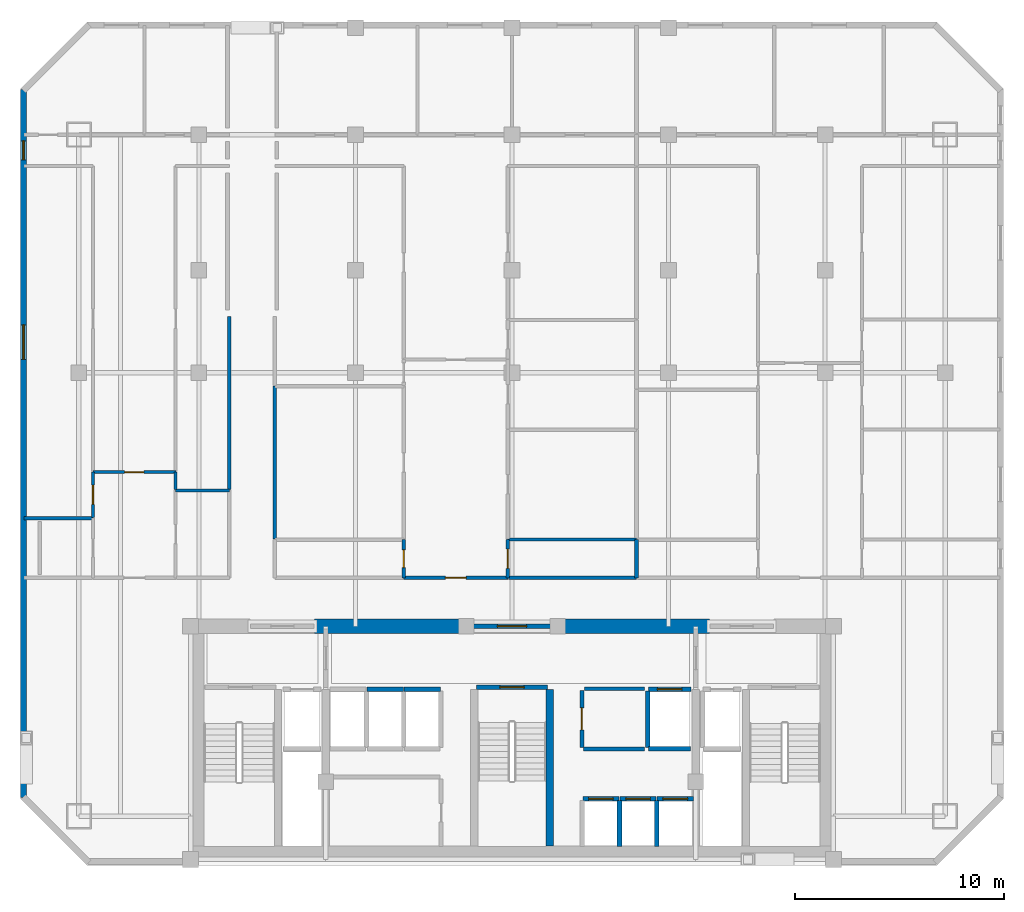
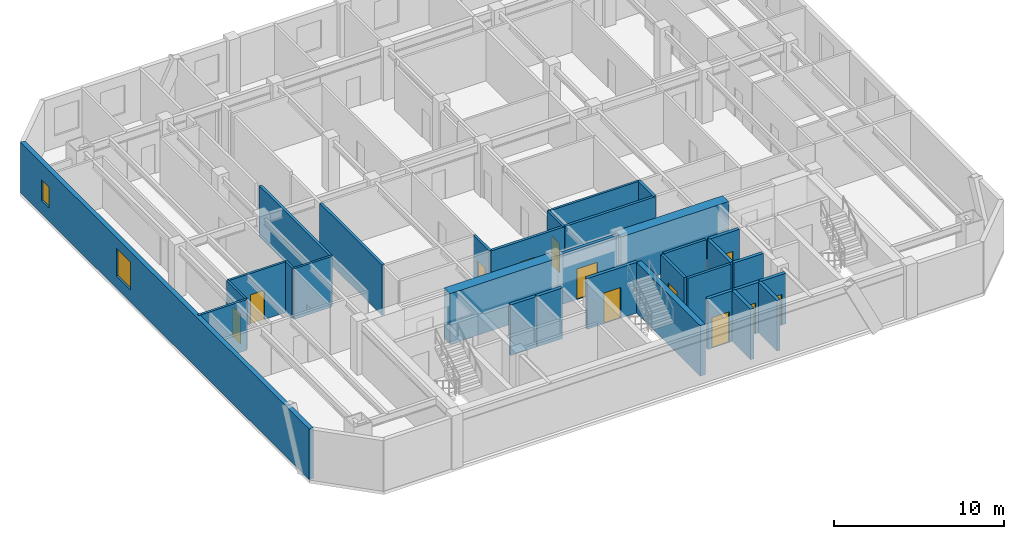
# One storey, part 3 of 8: 32 walls, 12 doors, 2 windows, 14 openings.
"""IFC4 building model written with IfcOpenShell, lengths in metres."""

from ifc_helpers import new_model, si_unit, direction, frame, frame_2d, origin, place, context, subcontext, project, spatial, rectangle, extrude, material, layer, layer_set, type_object, element, fill, save


model = new_model("IFC4")

# Units and contexts
model_context = context("Model", 3, precision=1e-05, world=origin(), true_north=direction((0.0, 1.0)))
body_context = subcontext(model_context, "Body", "Model", "MODEL_VIEW")
ifc_project = project(units=[si_unit("LENGTHUNIT", "METRE"), si_unit("AREAUNIT", "SQUARE_METRE"), si_unit("VOLUMEUNIT", "CUBIC_METRE"), si_unit("PLANEANGLEUNIT", "RADIAN"), si_unit("MASSUNIT", "GRAM", prefix="KILO")], contexts=[model_context])

# Site, building, storey
site_placement = place(None, origin())
site = spatial("IfcSite", under=ifc_project, at=site_placement, CompositionType="ELEMENT")
building_placement = place(site_placement, origin())
building = spatial("IfcBuilding", under=site, at=building_placement, Name="Ventersveld Concourse Tower", CompositionType="ELEMENT")
storey_placement = place(building_placement, frame((0.0, 0.0, 160.60009765625)))
storey = spatial("IfcBuildingStorey", under=building, at=storey_placement, Name="L39", CompositionType="ELEMENT", Elevation=160.60009765625)

# Walls
ifc_material_1 = material(Name="Concrete C60/75", Category="concrete")
ifc_layer_1 = layer(ifc_material_1, 0.35009765625)
ifc_layer_set_1 = layer_set([ifc_layer_1], Name="Concrete C60/75")
wall_type_1 = type_object("IfcWallType", Name="WL-CORE-350L", PredefinedType="SHEAR", material=ifc_layer_set_1)
wall_1_placement = place(storey_placement, frame((30.56005859375, 0.919921875, 0.0), z_axis=(0.0, 0.0, 1.0), x_axis=(0.0, 1.0, 0.0)))
element("IfcWall", 1, at=wall_1_placement, inside=storey, type_object=wall_type_1, Name="L39 Core Internal Shear Web W-ST3-E", PredefinedType="SHEAR", context=body_context, shape_type="SweptSolid", body=[
    extrude(rectangle(XDim=7.5, YDim=0.35009765625, at=frame_2d((3.75, 0.0))), origin(), (0.0, 0.0, 1.0), 3.6298828125),
])
ifc_layer_2 = layer(ifc_material_1, 0.699951171875)
ifc_layer_set_2 = layer_set([ifc_layer_2], Name="Concrete C60/75")
wall_type_2 = type_object("IfcWallType", Name="WL-CORE-700", PredefinedType="SHEAR", material=ifc_layer_set_2)
for number, where, z_axis, x_axis, name in (
    (2, (19.300048828125, 11.449951171875, 0.0), (0.0, 0.0, 1.0), (1.0, 0.0, 0.0), "L39 Rear Core North Shear Wall NML"),
    (3, (30.89990234375, 11.449951171875, 0.0), (0.0, 0.0, 1.0), (1.0, 0.0, 0.0), "L39 Rear Core North Shear Wall NMR"),
):
    element("IfcWall", number, at=place(storey_placement, frame(where, z_axis=z_axis, x_axis=x_axis)), inside=storey, type_object=wall_type_2, Name=name, PredefinedType="SHEAR", context=body_context, shape_type="SweptSolid", body=[
        extrude(rectangle(XDim=7.300048828125, YDim=0.699951171875, at=frame_2d((3.64990234375, 0.0))), origin(), (0.0, 0.0, 1.0), 3.6298828125),
    ])

# Wall, opening, door
ifc_material_2 = material(Name="Fire-rated autoclaved aerated masonry blockwork", Category="masonry")
ifc_layer_3 = layer(ifc_material_2, 0.179931640625)
ifc_layer_set_3 = layer_set([ifc_layer_3], Name="Fire-rated autoclaved aerated masonry blockwork")
wall_type_3 = type_object("IfcWallType", Name="WL-CORR-180", PredefinedType="PARTITIONING", material=ifc_layer_set_3)
wall_2_placement = place(storey_placement, frame((32.10009765625, 5.64990234375, 0.0), z_axis=(0.0, 0.0, 1.0), x_axis=(0.0, 1.0, 0.0)))
wall_2 = element("IfcWall", 4, at=wall_2_placement, inside=storey, type_object=wall_type_3, Name="L39 Core Passage Wall SP-L39-CBAY1", PredefinedType="PARTITIONING", context=body_context, shape_type="SweptSolid", body=[
    extrude(rectangle(XDim=2.72998046875, YDim=0.179931640625, at=frame_2d((1.364990234375, 0.0))), origin(), (0.0, 0.0, 1.0), 3.6298828125),
])
opening_1_placement = place(wall_2_placement, frame((0.840087890625, 0.0, 0.0)))
opening_1 = element("IfcOpeningElement", 5, at=opening_1_placement, cuts=wall_2, Name="Opening ID3", PredefinedType="OPENING", context=body_context, shape_type="SweptSolid", body=[
    extrude(rectangle(XDim=1.050048828125, YDim=2.14990234375, at=frame_2d((0.52490234375, 1.074951171875))), frame((0.0, 0.10009765625, 0.0), z_axis=(0.0, -1.0, 0.0), x_axis=(1.0, 0.0, 0.0)), (0.0, 0.0, 1.0), 0.199951171875),
])
ifc_material_3 = material(Name="Solid-core hardwood veneer timber", Category="wood")
door_type_1 = type_object("IfcDoorType", Name="DR-AWC-105", OperationType="NOTDEFINED", PredefinedType="DOOR", material=ifc_material_3)
door_1_placement = place(opening_1_placement, origin())
door_1 = element("IfcDoor", 6, at=door_1_placement, inside=storey, type_object=door_type_1, Name="L39 Core Room Door L39 Core Unisex Accessible WC (CD-L39-1906)", OperationType="SINGLE_SWING_LEFT", OverallHeight=2.14990234375, OverallWidth=1.050048828125, PredefinedType="DOOR", context=body_context, shape_type="SweptSolid", body=[
    extrude(rectangle(XDim=1.050048828125, YDim=2.14990234375, at=frame_2d((0.52490234375, 1.074951171875))), frame((0.0, 0.02490234375, 0.0), z_axis=(0.0, -1.0, 0.0), x_axis=(1.0, 0.0, 0.0)), (0.0, 0.0, 1.0), 0.050048828125),
])
fill(opening_1, door_1)

# Walls
wall_3_placement = place(storey_placement, frame((32.219970703125, 8.4599609375, 0.0), z_axis=(0.0, 0.0, 1.0), x_axis=(1.0, 0.0, 0.0)))
element("IfcWall", 7, at=wall_3_placement, inside=storey, type_object=wall_type_3, Name="L39 Core Top Wall SP-L39-CBAY1", PredefinedType="PARTITIONING", context=body_context, shape_type="SweptSolid", body=[
    extrude(rectangle(XDim=2.880126953125, YDim=0.179931640625, at=frame_2d((1.43994140625, 0.0))), origin(), (0.0, 0.0, 1.0), 3.6298828125),
])
wall_4_placement = place(storey_placement, frame((32.179931640625, 5.570068359375, 0.0), z_axis=(0.0, 0.0, 1.0), x_axis=(1.0, 0.0, 0.0)))
element("IfcWall", 8, at=wall_4_placement, inside=storey, type_object=wall_type_3, Name="L39 Core Bot Wall SP-L39-CBAY1", PredefinedType="PARTITIONING", context=body_context, shape_type="SweptSolid", body=[
    extrude(rectangle(XDim=2.920166015625, YDim=0.179931640625, at=frame_2d((1.4599609375, 0.0))), origin(), (0.0, 0.0, 1.0), 3.6298828125),
])
wall_5_placement = place(storey_placement, frame((15.2099609375, 17.997314453125, 0.0), z_axis=(0.0, 0.0, 1.0), x_axis=(0.0, 1.0, 0.0)))
element("IfcWall", 9, at=wall_5_placement, inside=storey, type_object=wall_type_3, Name="L39 Interior Partition SP-L39-COR-SP-L39-39NW-DENR", PredefinedType="PARTITIONING", context=body_context, shape_type="SweptSolid", body=[
    extrude(rectangle(XDim=8.297607421875, YDim=0.179931640625, at=frame_2d((4.14892578125, 0.0))), origin(), (0.0, 0.0, 1.0), 3.6298828125),
])

# Wall, opening, door
wall_6_placement = place(storey_placement, frame((23.56005859375, 13.77001953125, 0.0), z_axis=(0.0, 0.0, 1.0), x_axis=(1.0, 0.0, 0.0)))
wall_6 = element("IfcWall", 10, at=wall_6_placement, inside=storey, type_object=wall_type_3, Name="L39 Interior Partition SP-L39-COR-SP-L39-39N1-FOY", PredefinedType="PARTITIONING", context=body_context, shape_type="SweptSolid", body=[
    extrude(rectangle(XDim=4.989990234375, YDim=0.179931640625, at=frame_2d((2.4951171875, 0.0))), origin(), (0.0, 0.0, 1.0), 3.6298828125),
])
opening_2_placement = place(wall_6_placement, frame((1.9951171875, 0.0, 0.0)))
opening_2 = element("IfcOpeningElement", 11, at=opening_2_placement, cuts=wall_6, Name="Opening FD3", PredefinedType="OPENING", context=body_context, shape_type="SweptSolid", body=[
    extrude(rectangle(XDim=1.0, YDim=2.14990234375, at=frame_2d((0.5, 1.074951171875))), frame((0.0, 0.10009765625, 0.0), z_axis=(0.0, -1.0, 0.0), x_axis=(1.0, 0.0, 0.0)), (0.0, 0.0, 1.0), 0.199951171875),
])
door_type_2 = type_object("IfcDoorType", Name="DR-FLAT-100", OperationType="NOTDEFINED", PredefinedType="DOOR", material=ifc_material_3)
door_2_placement = place(opening_2_placement, origin())
door_2 = element("IfcDoor", 12, at=door_2_placement, inside=storey, type_object=door_type_2, Name="L39 Interior Door SP-L39-COR to SP-L39-39N1-FOY (FD-L39-1908)", OperationType="SINGLE_SWING_RIGHT", OverallHeight=2.14990234375, OverallWidth=1.0, PredefinedType="DOOR", context=body_context, shape_type="SweptSolid", body=[
    extrude(rectangle(XDim=1.0, YDim=2.14990234375, at=frame_2d((0.5, 1.074951171875))), frame((0.0, 0.02490234375, 0.0), z_axis=(0.0, -1.0, 0.0), x_axis=(1.0, 0.0, 0.0)), (0.0, 0.0, 1.0), 0.050048828125),
])
fill(opening_2, door_2)

# Walls
wall_7_placement = place(storey_placement, frame((17.389892578125, 15.635009765625, 0.0), z_axis=(0.0, 0.0, 1.0), x_axis=(0.0, 1.0, 0.0)))
element("IfcWall", 13, at=wall_7_placement, inside=storey, type_object=wall_type_3, Name="L39 Interior Partition SP-L39-COR-SP-L39-39N1-OFFL0", PredefinedType="PARTITIONING", context=body_context, shape_type="SweptSolid", body=[
    extrude(rectangle(XDim=7.319580078125, YDim=0.179931640625, at=frame_2d((3.65966796875, 0.0))), origin(), (0.0, 0.0, 1.0), 3.6298828125),
])
wall_8_placement = place(storey_placement, frame((28.580078125, 13.77001953125, 0.0), z_axis=(0.0, 0.0, 1.0), x_axis=(1.0, 0.0, 0.0)))
element("IfcWall", 14, at=wall_8_placement, inside=storey, type_object=wall_type_3, Name="L39 Interior Partition SP-L39-COR-SP-L39-39N1-KIT", PredefinedType="PARTITIONING", context=body_context, shape_type="SweptSolid", body=[
    extrude(rectangle(XDim=6.14501953125, YDim=0.179931640625, at=frame_2d((3.072509765625, 0.0))), origin(), (0.0, 0.0, 1.0), 3.6298828125),
])
ifc_layer_4 = layer(ifc_material_2, 0.199951171875)
ifc_layer_set_4 = layer_set([ifc_layer_4], Name="Fire-rated autoclaved aerated masonry blockwork")
wall_type_4 = type_object("IfcWallType", Name="WL-DEMISE-200", PredefinedType="PARTITIONING", material=ifc_layer_set_4)
wall_9_placement = place(storey_placement, frame((34.719970703125, 13.764892578125, 0.0), z_axis=(0.0, 0.0, 1.0), x_axis=(0.0, 1.0, 0.0)))
element("IfcWall", 15, at=wall_9_placement, inside=storey, type_object=wall_type_4, Name="L39 Interior Partition SP-L39-39N1-KIT-SP-L39-39N2-BATH", PredefinedType="PARTITIONING", context=body_context, shape_type="SweptSolid", body=[
    extrude(rectangle(XDim=1.840087890625, YDim=0.199951171875, at=frame_2d((0.919921875, 0.0))), origin(), (0.0, 0.0, 1.0), 3.6298828125),
])
ifc_layer_5 = layer(ifc_material_2, 0.219970703125)
ifc_layer_set_5 = layer_set([ifc_layer_5], Name="Fire-rated autoclaved aerated masonry blockwork")
wall_type_5 = type_object("IfcWallType", Name="WL-HOIST-220", PredefinedType="SOLIDWALL", material=ifc_layer_set_5)
wall_10_placement = place(storey_placement, frame((35.300048828125, 5.590087890625, 0.0), z_axis=(0.0, 0.0, 1.0), x_axis=(1.0, 0.0, 0.0)))
element("IfcWall", 16, at=wall_10_placement, inside=storey, type_object=wall_type_5, Name="L39 Lift Hoistway Back Wall SVL-01", PredefinedType="SOLIDWALL", context=body_context, shape_type="SweptSolid", body=[
    extrude(rectangle(XDim=2.0, YDim=0.219970703125, at=frame_2d((1.0, 0.0))), origin(), (0.0, 0.0, 1.0), 3.6298828125),
])
wall_11_placement = place(storey_placement, frame((35.260009765625, 5.64990234375, 0.0), z_axis=(0.0, 0.0, 1.0), x_axis=(0.0, 1.0, 0.0)))
element("IfcWall", 17, at=wall_11_placement, inside=storey, type_object=wall_type_5, Name="L39 Lift Hoistway Side Wall SVL-01W", PredefinedType="SOLIDWALL", context=body_context, shape_type="SweptSolid", body=[
    extrude(rectangle(XDim=2.7001953125, YDim=0.219970703125, at=frame_2d((1.35009765625, 0.0))), origin(), (0.0, 0.0, 1.0), 3.6298828125),
])

# Wall, opening, door
wall_12_placement = place(storey_placement, frame((35.280029296875, 8.429931640625, 0.0), z_axis=(0.0, 0.0, 1.0), x_axis=(1.0, 0.0, 0.0)))
wall_12 = element("IfcWall", 18, at=wall_12_placement, inside=storey, type_object=wall_type_5, Name="L39 Lift Hoistway Front Wall SVL-01", PredefinedType="SOLIDWALL", context=body_context, shape_type="SweptSolid", body=[
    extrude(rectangle(XDim=2.0400390625, YDim=0.219970703125, at=frame_2d((1.02001953125, 0.0))), origin(), (0.0, 0.0, 1.0), 3.6298828125),
])
opening_3_placement = place(wall_12_placement, frame((0.429931640625, 0.0, 0.0)))
opening_3 = element("IfcOpeningElement", 19, at=opening_3_placement, cuts=wall_12, Name="Opening LD2", PredefinedType="OPENING", context=body_context, shape_type="SweptSolid", body=[
    extrude(rectangle(XDim=1.179931640625, YDim=2.199951171875, at=frame_2d((0.58984375, 1.10009765625))), frame((0.0, 0.1201171875, 0.0), z_axis=(0.0, -1.0, 0.0), x_axis=(1.0, 0.0, 0.0)), (0.0, 0.0, 1.0), 0.239990234375),
])
ifc_material_4 = material(Name="Brushed stainless steel 316", Category="steel")
door_type_3 = type_object("IfcDoorType", Name="LD-PAX-118", OperationType="SLIDING_TO_LEFT", PredefinedType="DOOR", material=ifc_material_4)
door_3_placement = place(opening_3_placement, origin())
door_3 = element("IfcDoor", 20, at=door_3_placement, inside=storey, type_object=door_type_3, Name="L39 Lift landing door SVL-01 (LD-L39-SVL-01)", OperationType="SLIDING_TO_LEFT", OverallHeight=2.199951171875, OverallWidth=1.179931640625, PredefinedType="DOOR", context=body_context, shape_type="SweptSolid", body=[
    extrude(rectangle(XDim=1.179931640625, YDim=2.199951171875, at=frame_2d((0.58984375, 1.10009765625))), frame((0.0, 0.02490234375, 0.0), z_axis=(0.0, -1.0, 0.0), x_axis=(1.0, 0.0, 0.0)), (0.0, 0.0, 1.0), 0.050048828125),
])
fill(opening_3, door_3)

# Wall
wall_13_placement = place(storey_placement, frame((33.89990234375, 0.89990234375, 0.0), z_axis=(0.0, 0.0, 1.0), x_axis=(0.0, 1.0, 0.0)))
element("IfcWall", 21, at=wall_13_placement, inside=storey, type_object=wall_type_5, Name="L39 Lift Hoistway Side Wall PM-01E", PredefinedType="SOLIDWALL", context=body_context, shape_type="SweptSolid", body=[
    extrude(rectangle(XDim=2.2001953125, YDim=0.219970703125, at=frame_2d((1.10009765625, 0.0))), origin(), (0.0, 0.0, 1.0), 3.6298828125),
])

# Wall, opening, door
wall_14_placement = place(storey_placement, frame((32.139892578125, 3.179931640625, 0.0), z_axis=(0.0, 0.0, 1.0), x_axis=(1.0, 0.0, 0.0)))
wall_14 = element("IfcWall", 22, at=wall_14_placement, inside=storey, type_object=wall_type_5, Name="L39 Lift Hoistway Front Wall PM-01", PredefinedType="SOLIDWALL", context=body_context, shape_type="SweptSolid", body=[
    extrude(rectangle(XDim=1.739990234375, YDim=0.219970703125, at=frame_2d((0.8701171875, 0.0))), origin(), (0.0, 0.0, 1.0), 3.6298828125),
])
opening_4_placement = place(wall_14_placement, frame((0.280029296875, 0.0, 0.0)))
opening_4 = element("IfcOpeningElement", 23, at=opening_4_placement, cuts=wall_14, Name="Opening LD2", PredefinedType="OPENING", context=body_context, shape_type="SweptSolid", body=[
    extrude(rectangle(XDim=1.179931640625, YDim=2.199951171875, at=frame_2d((0.58984375, 1.10009765625))), frame((0.0, 0.1201171875, 0.0), z_axis=(0.0, -1.0, 0.0), x_axis=(1.0, 0.0, 0.0)), (0.0, 0.0, 1.0), 0.239990234375),
])
door_4_placement = place(opening_4_placement, origin())
door_4 = element("IfcDoor", 24, at=door_4_placement, inside=storey, type_object=door_type_3, Name="L39 Lift landing door PM-01 (LD-L39-PM-01)", OperationType="SLIDING_TO_RIGHT", OverallHeight=2.199951171875, OverallWidth=1.179931640625, PredefinedType="DOOR", context=body_context, shape_type="SweptSolid", body=[
    extrude(rectangle(XDim=1.179931640625, YDim=2.199951171875, at=frame_2d((0.58984375, 1.10009765625))), frame((0.0, 0.02490234375, 0.0), z_axis=(0.0, -1.0, 0.0), x_axis=(1.0, 0.0, 0.0)), (0.0, 0.0, 1.0), 0.050048828125),
])
fill(opening_4, door_4)

# Wall
wall_15_placement = place(storey_placement, frame((35.679931640625, 0.89990234375, 0.0), z_axis=(0.0, 0.0, 1.0), x_axis=(0.0, 1.0, 0.0)))
element("IfcWall", 25, at=wall_15_placement, inside=storey, type_object=wall_type_5, Name="L39 Lift Hoistway Side Wall PM-02E", PredefinedType="SOLIDWALL", context=body_context, shape_type="SweptSolid", body=[
    extrude(rectangle(XDim=2.2001953125, YDim=0.219970703125, at=frame_2d((1.10009765625, 0.0))), origin(), (0.0, 0.0, 1.0), 3.6298828125),
])

# Wall, opening, door
wall_16_placement = place(storey_placement, frame((33.919921875, 3.179931640625, 0.0), z_axis=(0.0, 0.0, 1.0), x_axis=(1.0, 0.0, 0.0)))
wall_16 = element("IfcWall", 26, at=wall_16_placement, inside=storey, type_object=wall_type_5, Name="L39 Lift Hoistway Front Wall PM-02", PredefinedType="SOLIDWALL", context=body_context, shape_type="SweptSolid", body=[
    extrude(rectangle(XDim=1.739990234375, YDim=0.219970703125, at=frame_2d((0.8701171875, 0.0))), origin(), (0.0, 0.0, 1.0), 3.6298828125),
])
opening_5_placement = place(wall_16_placement, frame((0.280029296875, 0.0, 0.0)))
opening_5 = element("IfcOpeningElement", 27, at=opening_5_placement, cuts=wall_16, Name="Opening LD2", PredefinedType="OPENING", context=body_context, shape_type="SweptSolid", body=[
    extrude(rectangle(XDim=1.179931640625, YDim=2.199951171875, at=frame_2d((0.58984375, 1.10009765625))), frame((0.0, 0.1201171875, 0.0), z_axis=(0.0, -1.0, 0.0), x_axis=(1.0, 0.0, 0.0)), (0.0, 0.0, 1.0), 0.239990234375),
])
door_5_placement = place(opening_5_placement, origin())
door_5 = element("IfcDoor", 28, at=door_5_placement, inside=storey, type_object=door_type_3, Name="L39 Lift landing door PM-02 (LD-L39-PM-02)", OperationType="SLIDING_TO_LEFT", OverallHeight=2.199951171875, OverallWidth=1.179931640625, PredefinedType="DOOR", context=body_context, shape_type="SweptSolid", body=[
    extrude(rectangle(XDim=1.179931640625, YDim=2.199951171875, at=frame_2d((0.58984375, 1.10009765625))), frame((0.0, 0.02490234375, 0.0), z_axis=(0.0, -1.0, 0.0), x_axis=(1.0, 0.0, 0.0)), (0.0, 0.0, 1.0), 0.050048828125),
])
fill(opening_5, door_5)

wall_17_placement = place(storey_placement, frame((35.699951171875, 3.179931640625, 0.0), z_axis=(0.0, 0.0, 1.0), x_axis=(1.0, 0.0, 0.0)))
wall_17 = element("IfcWall", 29, at=wall_17_placement, inside=storey, type_object=wall_type_5, Name="L39 Lift Hoistway Front Wall PM-03", PredefinedType="SOLIDWALL", context=body_context, shape_type="SweptSolid", body=[
    extrude(rectangle(XDim=1.739990234375, YDim=0.219970703125, at=frame_2d((0.8701171875, 0.0))), origin(), (0.0, 0.0, 1.0), 3.6298828125),
])
opening_6_placement = place(wall_17_placement, frame((0.280029296875, 0.0, 0.0)))
opening_6 = element("IfcOpeningElement", 30, at=opening_6_placement, cuts=wall_17, Name="Opening LD2", PredefinedType="OPENING", context=body_context, shape_type="SweptSolid", body=[
    extrude(rectangle(XDim=1.179931640625, YDim=2.199951171875, at=frame_2d((0.58984375, 1.10009765625))), frame((0.0, 0.1201171875, 0.0), z_axis=(0.0, -1.0, 0.0), x_axis=(1.0, 0.0, 0.0)), (0.0, 0.0, 1.0), 0.239990234375),
])
door_6_placement = place(opening_6_placement, origin())
door_6 = element("IfcDoor", 31, at=door_6_placement, inside=storey, type_object=door_type_3, Name="L39 Lift landing door PM-03 (LD-L39-PM-03)", OperationType="SLIDING_TO_RIGHT", OverallHeight=2.199951171875, OverallWidth=1.179931640625, PredefinedType="DOOR", context=body_context, shape_type="SweptSolid", body=[
    extrude(rectangle(XDim=1.179931640625, YDim=2.199951171875, at=frame_2d((0.58984375, 1.10009765625))), frame((0.0, 0.02490234375, 0.0), z_axis=(0.0, -1.0, 0.0), x_axis=(1.0, 0.0, 0.0)), (0.0, 0.0, 1.0), 0.050048828125),
])
fill(opening_6, door_6)

# Walls
for number, where, z_axis, x_axis, name in (
    (32, (21.800048828125, 8.429931640625, 0.0), (0.0, 0.0, 1.0), (1.0, 0.0, 0.0), "L39 Lift Hoistway Front Wall PH-02"),
    (33, (23.580078125, 8.429931640625, 0.0), (0.0, 0.0, 1.0), (1.0, 0.0, 0.0), "L39 Lift Hoistway Front Wall PH-03"),
):
    element("IfcWall", number, at=place(storey_placement, frame(where, z_axis=z_axis, x_axis=x_axis)), inside=storey, type_object=wall_type_5, Name=name, PredefinedType="SOLIDWALL", context=body_context, shape_type="SweptSolid", body=[
        extrude(rectangle(XDim=1.739990234375, YDim=0.219970703125, at=frame_2d((0.8701171875, 0.0))), origin(), (0.0, 0.0, 1.0), 3.6298828125),
    ])

# Wall, opening, door
wall_18_placement = place(storey_placement, frame((27.0400390625, 8.52001953125, 0.0), z_axis=(0.0, 0.0, 1.0), x_axis=(1.0, 0.0, 0.0)))
wall_18 = element("IfcWall", 34, at=wall_18_placement, inside=storey, type_object=wall_type_5, Name="L39 Escape Stair ST03 Fire Wall", PredefinedType="SOLIDWALL", context=body_context, shape_type="SweptSolid", body=[
    extrude(rectangle(XDim=3.419921875, YDim=0.219970703125, at=frame_2d((1.7099609375, 0.0))), origin(), (0.0, 0.0, 1.0), 3.6298828125),
])
opening_7_placement = place(wall_18_placement, frame((1.135009765625, 0.0, 0.0)))
opening_7 = element("IfcOpeningElement", 35, at=opening_7_placement, cuts=wall_18, Name="Opening FD1", PredefinedType="OPENING", context=body_context, shape_type="SweptSolid", body=[
    extrude(rectangle(XDim=1.14990234375, YDim=2.199951171875, at=frame_2d((0.574951171875, 1.10009765625))), frame((0.0, 0.1201171875, 0.0), z_axis=(0.0, -1.0, 0.0), x_axis=(1.0, 0.0, 0.0)), (0.0, 0.0, 1.0), 0.239990234375),
])
ifc_material_5 = material(Name="Galvanised painted steel", Category="steel")
door_type_4 = type_object("IfcDoorType", Name="DR-STAIR-115", OperationType="NOTDEFINED", PredefinedType="DOOR", material=ifc_material_5)
door_7_placement = place(opening_7_placement, origin())
door_7 = element("IfcDoor", 36, at=door_7_placement, inside=storey, type_object=door_type_4, Name="L39 Escape Stair Door ST03 (SD-L39-1899)", OperationType="SINGLE_SWING_LEFT", OverallHeight=2.199951171875, OverallWidth=1.14990234375, PredefinedType="DOOR", context=body_context, shape_type="SweptSolid", body=[
    extrude(rectangle(XDim=1.14990234375, YDim=2.199951171875, at=frame_2d((0.574951171875, 1.10009765625))), frame((0.0, 0.02490234375, 0.0), z_axis=(0.0, -1.0, 0.0), x_axis=(1.0, 0.0, 0.0)), (0.0, 0.0, 1.0), 0.050048828125),
])
fill(opening_7, door_7)

wall_19_placement = place(storey_placement, frame((26.6298828125, 11.449951171875, 0.0), z_axis=(0.0, 0.0, 1.0), x_axis=(1.0, 0.0, 0.0)))
wall_19 = element("IfcWall", 37, at=wall_19_placement, inside=storey, type_object=wall_type_5, Name="L39 Core North Fire Portal PLOB-OUT", PredefinedType="SOLIDWALL", context=body_context, shape_type="SweptSolid", body=[
    extrude(rectangle(XDim=4.240234375, YDim=0.219970703125, at=frame_2d((2.1201171875, 0.0))), origin(), (0.0, 0.0, 1.0), 3.6298828125),
])
opening_8_placement = place(wall_19_placement, frame((1.419921875, 0.0, 0.0)))
opening_8 = element("IfcOpeningElement", 38, at=opening_8_placement, cuts=wall_19, Name="Opening FD4", PredefinedType="OPENING", context=body_context, shape_type="SweptSolid", body=[
    extrude(rectangle(XDim=1.39990234375, YDim=2.199951171875, at=frame_2d((0.699951171875, 1.10009765625))), frame((0.0, 0.1201171875, 0.0), z_axis=(0.0, -1.0, 0.0), x_axis=(1.0, 0.0, 0.0)), (0.0, 0.0, 1.0), 0.239990234375),
])
door_type_5 = type_object("IfcDoorType", Name="DR-PLANT-140", OperationType="DOUBLE_DOOR_SINGLE_SWING", PredefinedType="DOOR", material=ifc_material_5)
door_8_placement = place(opening_8_placement, origin())
door_8 = element("IfcDoor", 39, at=door_8_placement, inside=storey, type_object=door_type_5, Name="L39 Core Lobby Fire Door PLOB-OUT (FD-L39-1903)", OperationType="DOUBLE_DOOR_SINGLE_SWING", OverallHeight=2.199951171875, OverallWidth=1.39990234375, PredefinedType="DOOR", context=body_context, shape_type="SweptSolid", body=[
    extrude(rectangle(XDim=1.39990234375, YDim=2.199951171875, at=frame_2d((0.699951171875, 1.10009765625))), frame((0.0, 0.02490234375, 0.0), z_axis=(0.0, -1.0, 0.0), x_axis=(1.0, 0.0, 0.0)), (0.0, 0.0, 1.0), 0.050048828125),
])
fill(opening_8, door_8)

ifc_material_6 = material(Name="Autoclaved aerated masonry blockwork", Category="masonry")
ifc_layer_6 = layer(ifc_material_6, 0.14990234375)
ifc_layer_set_6 = layer_set([ifc_layer_6], Name="Autoclaved aerated masonry blockwork")
wall_type_6 = type_object("IfcWallType", Name="WL-INT-150", PredefinedType="PARTITIONING", material=ifc_layer_set_6)
wall_20_placement = place(storey_placement, frame((8.67236328125, 18.83349609375, 0.0), z_axis=(0.0, 0.0, 1.0), x_axis=(1.0, 0.0, 0.0)))
wall_20 = element("IfcWall", 40, at=wall_20_placement, inside=storey, type_object=wall_type_6, Name="L39 Interior Partition SP-L39-39NW-FOY-SP-L39-39NW-LIV", PredefinedType="PARTITIONING", context=body_context, shape_type="SweptSolid", body=[
    extrude(rectangle(XDim=3.969970703125, YDim=0.14990234375, at=frame_2d((1.98486328125, 0.0))), origin(), (0.0, 0.0, 1.0), 3.6298828125),
])
opening_9_placement = place(wall_20_placement, frame((1.52490234375, 0.0, 0.0)))
opening_9 = element("IfcOpeningElement", 41, at=opening_9_placement, cuts=wall_20, Name="Opening ID1", PredefinedType="OPENING", context=body_context, shape_type="SweptSolid", body=[
    extrude(rectangle(XDim=0.919921875, YDim=2.10009765625, at=frame_2d((0.4599609375, 1.050048828125))), frame((0.0, 0.0849609375, 0.0), z_axis=(0.0, -1.0, 0.0), x_axis=(1.0, 0.0, 0.0)), (0.0, 0.0, 1.0), 0.169921875),
])
door_type_6 = type_object("IfcDoorType", Name="DR-ROOM-092", OperationType="NOTDEFINED", PredefinedType="DOOR", material=ifc_material_3)
door_9_placement = place(opening_9_placement, origin())
door_9 = element("IfcDoor", 42, at=door_9_placement, inside=storey, type_object=door_type_6, Name="L39 Interior Door SP-L39-39NW-FOY to SP-L39-39NW-LIV (D-L39-1910)", OperationType="SINGLE_SWING_RIGHT", OverallHeight=2.10009765625, OverallWidth=0.919921875, PredefinedType="DOOR", context=body_context, shape_type="SweptSolid", body=[
    extrude(rectangle(XDim=0.919921875, YDim=2.10009765625, at=frame_2d((0.4599609375, 1.050048828125))), frame((0.0, 0.02490234375, 0.0), z_axis=(0.0, -1.0, 0.0), x_axis=(1.0, 0.0, 0.0)), (0.0, 0.0, 1.0), 0.050048828125),
])
fill(opening_9, door_9)

wall_21_placement = place(storey_placement, frame((8.677490234375, 16.659912109375, 0.0), z_axis=(0.0, 0.0, 1.0), x_axis=(0.0, 1.0, 0.0)))
wall_21 = element("IfcWall", 43, at=wall_21_placement, inside=storey, type_object=wall_type_6, Name="L39 Interior Partition SP-L39-39NW-FOY-SP-L39-39NW-OFFL0", PredefinedType="PARTITIONING", context=body_context, shape_type="SweptSolid", body=[
    extrude(rectangle(XDim=2.178466796875, YDim=0.14990234375, at=frame_2d((1.08935546875, 0.0))), origin(), (0.0, 0.0, 1.0), 3.6298828125),
])
opening_10_placement = place(wall_21_placement, frame((0.629150390625, 0.0, 0.0)))
opening_10 = element("IfcOpeningElement", 44, at=opening_10_placement, cuts=wall_21, Name="Opening ID1", PredefinedType="OPENING", context=body_context, shape_type="SweptSolid", body=[
    extrude(rectangle(XDim=0.919921875, YDim=2.10009765625, at=frame_2d((0.4599609375, 1.050048828125))), frame((0.0, 0.0849609375, 0.0), z_axis=(0.0, -1.0, 0.0), x_axis=(1.0, 0.0, 0.0)), (0.0, 0.0, 1.0), 0.169921875),
])
door_10_placement = place(opening_10_placement, origin())
door_10 = element("IfcDoor", 45, at=door_10_placement, inside=storey, type_object=door_type_6, Name="L39 Interior Door SP-L39-39NW-FOY to SP-L39-39NW-OFFL0 (D-L39-1912)", OperationType="SINGLE_SWING_RIGHT", OverallHeight=2.10009765625, OverallWidth=0.919921875, PredefinedType="DOOR", context=body_context, shape_type="SweptSolid", body=[
    extrude(rectangle(XDim=0.919921875, YDim=2.10009765625, at=frame_2d((0.4599609375, 1.050048828125))), frame((0.0, 0.02490234375, 0.0), z_axis=(0.0, -1.0, 0.0), x_axis=(1.0, 0.0, 0.0)), (0.0, 0.0, 1.0), 0.050048828125),
])
fill(opening_10, door_10)

# Walls
wall_22_placement = place(storey_placement, frame((12.637451171875, 17.997314453125, 0.0), z_axis=(0.0, 0.0, 1.0), x_axis=(0.0, 1.0, 0.0)))
element("IfcWall", 46, at=wall_22_placement, inside=storey, type_object=wall_type_6, Name="L39 Interior Partition SP-L39-39NW-FOY-SP-L39-39NW-DENR", PredefinedType="PARTITIONING", context=body_context, shape_type="SweptSolid", body=[
    extrude(rectangle(XDim=0.841064453125, YDim=0.14990234375, at=frame_2d((0.42041015625, 0.0))), origin(), (0.0, 0.0, 1.0), 3.6298828125),
])
wall_23_placement = place(storey_placement, frame((12.63232421875, 17.96240234375, 0.0), z_axis=(0.0, 0.0, 1.0), x_axis=(1.0, 0.0, 0.0)))
element("IfcWall", 47, at=wall_23_placement, inside=storey, type_object=wall_type_6, Name="L39 Interior Partition SP-L39-39NW-KIT-SP-L39-39NW-DENR", PredefinedType="PARTITIONING", context=body_context, shape_type="SweptSolid", body=[
    extrude(rectangle(XDim=2.582763671875, YDim=0.14990234375, at=frame_2d((1.29150390625, 0.0))), origin(), (0.0, 0.0, 1.0), 3.6298828125),
])

# Wall, opening, door
wall_24_placement = place(storey_placement, frame((28.544921875, 13.764892578125, 0.0), z_axis=(0.0, 0.0, 1.0), x_axis=(0.0, 1.0, 0.0)))
wall_24 = element("IfcWall", 48, at=wall_24_placement, inside=storey, type_object=wall_type_6, Name="L39 Interior Partition SP-L39-39N1-FOY-SP-L39-39N1-KIT", PredefinedType="PARTITIONING", context=body_context, shape_type="SweptSolid", body=[
    extrude(rectangle(XDim=1.840087890625, YDim=0.14990234375, at=frame_2d((0.919921875, 0.0))), origin(), (0.0, 0.0, 1.0), 3.6298828125),
])
opening_11_placement = place(wall_24_placement, frame((0.4599609375, 0.0, 0.0)))
opening_11 = element("IfcOpeningElement", 49, at=opening_11_placement, cuts=wall_24, Name="Opening ID1", PredefinedType="OPENING", context=body_context, shape_type="SweptSolid", body=[
    extrude(rectangle(XDim=0.919921875, YDim=2.10009765625, at=frame_2d((0.4599609375, 1.050048828125))), frame((0.0, 0.0849609375, 0.0), z_axis=(0.0, -1.0, 0.0), x_axis=(1.0, 0.0, 0.0)), (0.0, 0.0, 1.0), 0.169921875),
])
door_11_placement = place(opening_11_placement, origin())
door_11 = element("IfcDoor", 50, at=door_11_placement, inside=storey, type_object=door_type_6, Name="L39 Interior Door SP-L39-39N1-FOY to SP-L39-39N1-KIT (D-L39-1922)", OperationType="SINGLE_SWING_RIGHT", OverallHeight=2.10009765625, OverallWidth=0.919921875, PredefinedType="DOOR", context=body_context, shape_type="SweptSolid", body=[
    extrude(rectangle(XDim=0.919921875, YDim=2.10009765625, at=frame_2d((0.4599609375, 1.050048828125))), frame((0.0, 0.02490234375, 0.0), z_axis=(0.0, -1.0, 0.0), x_axis=(1.0, 0.0, 0.0)), (0.0, 0.0, 1.0), 0.050048828125),
])
fill(opening_11, door_11)

# Wall
wall_25_placement = place(storey_placement, frame((28.5400390625, 15.60009765625, 0.0), z_axis=(0.0, 0.0, 1.0), x_axis=(1.0, 0.0, 0.0)))
element("IfcWall", 51, at=wall_25_placement, inside=storey, type_object=wall_type_6, Name="L39 Interior Partition SP-L39-39N1-KIT-SP-L39-39N1-DENR", PredefinedType="PARTITIONING", context=body_context, shape_type="SweptSolid", body=[
    extrude(rectangle(XDim=6.18505859375, YDim=0.14990234375, at=frame_2d((3.092529296875, 0.0))), origin(), (0.0, 0.0, 1.0), 3.6298828125),
])

# Wall, openings, windows
ifc_material_7 = material(Name="Precast concrete C45/55", Category="concrete")
ifc_layer_7 = layer(ifc_material_7, 0.300048828125)
ifc_layer_set_7 = layer_set([ifc_layer_7], Name="Precast concrete C45/55")
wall_type_7 = type_object("IfcWallType", Name="WL-PREC-300", PredefinedType="SOLIDWALL", material=ifc_layer_set_7)
wall_26_placement = place(storey_placement, frame((5.35009765625, 37.159912109375, 0.0), z_axis=(0.0, 0.0, 1.0), x_axis=(0.0, -1.0, 0.0)))
wall_26 = element("IfcWall", 52, at=wall_26_placement, inside=storey, type_object=wall_type_7, Name="L39 Highveld Precast Facade Wall E07", PredefinedType="SOLIDWALL", context=body_context, shape_type="SweptSolid", body=[
    extrude(rectangle(XDim=33.919921875, YDim=0.300048828125, at=frame_2d((16.9599609375, 0.0))), origin(), (0.0, 0.0, 1.0), 3.6298828125),
])
opening_12_placement = place(wall_26_placement, frame((2.4599609375, 0.0, 0.949951171875)))
opening_12 = element("IfcOpeningElement", 53, at=opening_12_placement, cuts=wall_26, Name="Opening W4", PredefinedType="OPENING", context=body_context, shape_type="SweptSolid", body=[
    extrude(rectangle(XDim=0.89990234375, YDim=1.5, at=frame_2d((0.449951171875, 0.75))), frame((0.0, 0.16015625, 0.0), z_axis=(0.0, -1.0, 0.0), x_axis=(1.0, 0.0, 0.0)), (0.0, 0.0, 1.0), 0.320068359375),
])
opening_13_placement = place(wall_26_placement, frame((11.2724609375, 0.0, 0.8798828125)))
opening_13 = element("IfcOpeningElement", 54, at=opening_13_placement, cuts=wall_26, Name="Opening W6", PredefinedType="OPENING", context=body_context, shape_type="SweptSolid", body=[
    extrude(rectangle(XDim=1.64990234375, YDim=2.0, at=frame_2d((0.824951171875, 1.0))), frame((0.0, 0.16015625, 0.0), z_axis=(0.0, -1.0, 0.0), x_axis=(1.0, 0.0, 0.0)), (0.0, 0.0, 1.0), 0.320068359375),
])
ifc_material_8 = material(Name="Tempered acoustic Low-E IGU", Category="glass")
window_type_1 = type_object("IfcWindowType", Name="WIN-090x150", PartitioningType="SINGLE_PANEL", PredefinedType="WINDOW", material=ifc_material_8)
window_1_placement = place(opening_12_placement, origin())
window_1 = element("IfcWindow", 55, at=window_1_placement, inside=storey, type_object=window_type_1, Name="L39 Punched Low-E Window W-0517", OverallHeight=1.5, OverallWidth=0.89990234375, PartitioningType="SINGLE_PANEL", PredefinedType="WINDOW", context=body_context, shape_type="SweptSolid", body=[
    extrude(rectangle(XDim=0.89990234375, YDim=1.5, at=frame_2d((0.449951171875, 0.75))), frame((0.0, 0.030029296875, 0.0), z_axis=(0.0, -1.0, 0.0), x_axis=(1.0, 0.0, 0.0)), (0.0, 0.0, 1.0), 0.06005859375),
])
fill(opening_12, window_1)
window_type_2 = type_object("IfcWindowType", Name="WIN-165x200", PartitioningType="SINGLE_PANEL", PredefinedType="WINDOW", material=ifc_material_8)
window_2_placement = place(opening_13_placement, origin())
window_2 = element("IfcWindow", 56, at=window_2_placement, inside=storey, type_object=window_type_2, Name="L39 Punched Low-E Window W-0518", OverallHeight=2.0, OverallWidth=1.64990234375, PartitioningType="SINGLE_PANEL", PredefinedType="WINDOW", context=body_context, shape_type="SweptSolid", body=[
    extrude(rectangle(XDim=1.64990234375, YDim=2.0, at=frame_2d((0.824951171875, 1.0))), frame((0.0, 0.030029296875, 0.0), z_axis=(0.0, -1.0, 0.0), x_axis=(1.0, 0.0, 0.0)), (0.0, 0.0, 1.0), 0.06005859375),
])
fill(opening_13, window_2)

# Wall
ifc_layer_8 = layer(ifc_material_6, 0.1650390625)
ifc_layer_set_8 = layer_set([ifc_layer_8], Name="Autoclaved aerated masonry blockwork")
wall_type_8 = type_object("IfcWallType", Name="WL-WET-165", PredefinedType="PLUMBINGWALL", material=ifc_layer_set_8)
wall_27_placement = place(storey_placement, frame((5.37255859375, 16.625, 0.0), z_axis=(0.0, 0.0, 1.0), x_axis=(1.0, 0.0, 0.0)))
element("IfcWall", 57, at=wall_27_placement, inside=storey, type_object=wall_type_8, Name="L39 Interior Partition SP-L39-39NW-BATH-SP-L39-39NW-OFFL0", PredefinedType="PLUMBINGWALL", context=body_context, shape_type="SweptSolid", body=[
    extrude(rectangle(XDim=3.309814453125, YDim=0.1650390625, at=frame_2d((1.65478515625, 0.0))), origin(), (0.0, 0.0, 1.0), 3.6298828125),
])

# Wall, opening, door
wall_28_placement = place(storey_placement, frame((23.56494140625, 13.764892578125, 0.0), z_axis=(0.0, 0.0, 1.0), x_axis=(0.0, 1.0, 0.0)))
wall_28 = element("IfcWall", 58, at=wall_28_placement, inside=storey, type_object=wall_type_8, Name="L39 Interior Partition SP-L39-39N1-FOY-SP-L39-39N1-BATH", PredefinedType="PLUMBINGWALL", context=body_context, shape_type="SweptSolid", body=[
    extrude(rectangle(XDim=1.840087890625, YDim=0.1650390625, at=frame_2d((0.919921875, 0.0))), origin(), (0.0, 0.0, 1.0), 3.6298828125),
])
opening_14_placement = place(wall_28_placement, frame((0.4951171875, 0.0, 0.0)))
opening_14 = element("IfcOpeningElement", 59, at=opening_14_placement, cuts=wall_28, Name="Opening ID2", PredefinedType="OPENING", context=body_context, shape_type="SweptSolid", body=[
    extrude(rectangle(XDim=0.85009765625, YDim=2.10009765625, at=frame_2d((0.425048828125, 1.050048828125))), frame((0.0, 0.092529296875, 0.0), z_axis=(0.0, -1.0, 0.0), x_axis=(1.0, 0.0, 0.0)), (0.0, 0.0, 1.0), 0.18505859375),
])
door_type_7 = type_object("IfcDoorType", Name="DR-BATH-085", OperationType="NOTDEFINED", PredefinedType="DOOR", material=ifc_material_3)
door_12_placement = place(opening_14_placement, origin())
door_12 = element("IfcDoor", 60, at=door_12_placement, inside=storey, type_object=door_type_7, Name="L39 Interior Door SP-L39-39N1-FOY to SP-L39-39N1-BATH (D-L39-1919)", OperationType="SINGLE_SWING_LEFT", OverallHeight=2.10009765625, OverallWidth=0.85009765625, PredefinedType="DOOR", context=body_context, shape_type="SweptSolid", body=[
    extrude(rectangle(XDim=0.85009765625, YDim=2.10009765625, at=frame_2d((0.425048828125, 1.050048828125))), frame((0.0, 0.02490234375, 0.0), z_axis=(0.0, -1.0, 0.0), x_axis=(1.0, 0.0, 0.0)), (0.0, 0.0, 1.0), 0.050048828125),
])
fill(opening_14, door_12)

save(model, "model.ifc")
